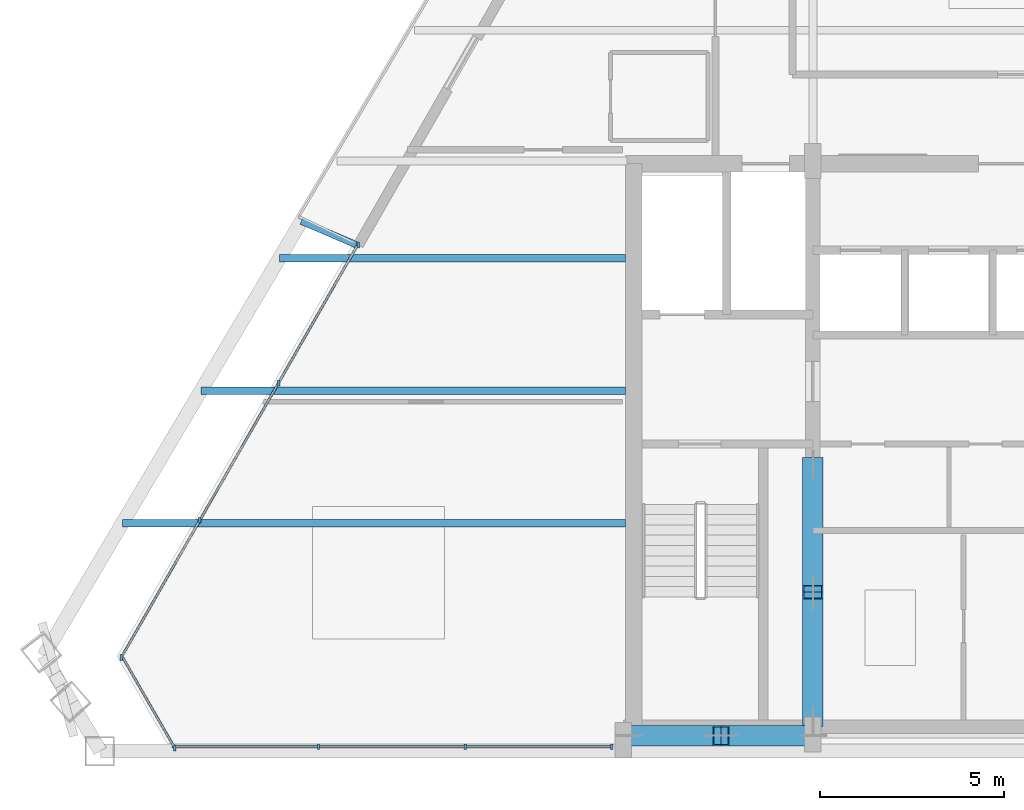
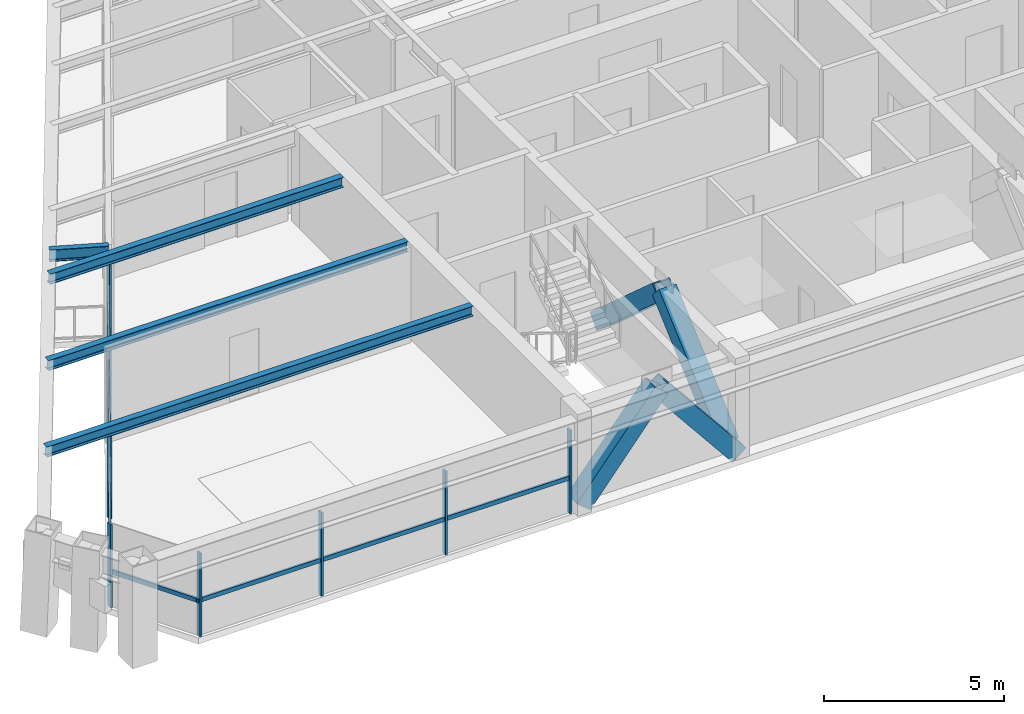
# One storey, part 2 of 13: 19 members, 4 beams, 3 elements without a shape of their own.
"""IFC4 building model written with IfcOpenShell, lengths in metres."""

from ifc_helpers import new_model, si_unit, direction, frame, origin, origin_2d, place, context, subcontext, project, spatial, rectangle, hollow_rectangle, i_section, extrude, source, transform, mapped, material, material_profile, profile_set, type_object, type_shapes, element, aggregate, save


model = new_model("IFC4")

# Units and contexts
model_context = context("Model", 3, precision=1e-05, world=origin(), true_north=direction((0.0, 1.0)))
body_context = subcontext(model_context, "Body", "Model", "MODEL_VIEW")
ifc_project = project(units=[si_unit("LENGTHUNIT", "METRE"), si_unit("AREAUNIT", "SQUARE_METRE"), si_unit("VOLUMEUNIT", "CUBIC_METRE"), si_unit("PLANEANGLEUNIT", "RADIAN"), si_unit("MASSUNIT", "GRAM", prefix="KILO")], contexts=[model_context])

# Site, building, storey
site_placement = place(None, origin())
site = spatial("IfcSite", under=ifc_project, at=site_placement, CompositionType="ELEMENT")
building_placement = place(site_placement, origin())
building = spatial("IfcBuilding", under=site, at=building_placement, Name="Varnakhor Terracotta Tower", CompositionType="ELEMENT")
storey_placement = place(building_placement, frame((0.0, 0.0, 297.14990234375)))
storey = spatial("IfcBuildingStorey", under=building, at=storey_placement, Name="L78", CompositionType="ELEMENT", Elevation=297.14990234375)

# Members
ifc_material_1 = material(Name="Steel S355", Category="steel")
ifc_material_profile_1 = material_profile(ifc_material_1, hollow_rectangle(XDim=0.550048828125, YDim=0.550048828125, WallThickness=0.034912109375, at=origin_2d()), Name="HSS550X550X35")
ifc_profile_set_1 = profile_set([ifc_material_profile_1], Name="Steel S355")
member_type_1 = type_object("IfcMemberType", Name="MBR-MEGA-550", PredefinedType="BRACE", material=ifc_profile_set_1)
shared_shape_1 = source(origin(), body_context, "Body", "SweptSolid", [
    extrude(hollow_rectangle(XDim=0.550048828125, YDim=0.550048828125, WallThickness=0.034912109375, at=origin_2d()), origin(), (0.0, 0.0, 1.0), 3.974853515625),
])
for number, where, z_axis, x_axis, name in (
    (1, (-10.5, 0.419921875, 0.0), (0.628970263838, 0.0, 0.777429358339), (0.0, 1.0, 0.0), "L78 Core Coupled Brace CSWA"),
    (2, (-5.5, 0.419921875, 0.0), (-0.628970263838, 0.0, 0.777429358339), (0.0, -1.0, 0.0), "L78 Core Coupled Brace CSWB"),
):
    element("IfcMember", number, at=place(storey_placement, frame(where, z_axis=z_axis, x_axis=x_axis)), inside=storey, type_object=member_type_1, Name=name, PredefinedType="BRACE", context=body_context, shape_type="MappedRepresentation", body=[
        mapped(shared_shape_1, transform((0.0, 0.0, 0.0), scale=1.0)),
    ])
shared_shape_2 = source(origin(), body_context, "Body", "SweptSolid", [
    extrude(hollow_rectangle(XDim=0.550048828125, YDim=0.550048828125, WallThickness=0.034912109375, at=origin_2d()), origin(), (0.0, 0.0, 1.0), 4.650146484375),
])
for number, where, z_axis, x_axis, name in (
    (3, (-5.5, 0.85009765625, 0.0), (0.0, 0.74726736397, 0.664523503532), (-1.0, 0.0, 0.0), "L78 Core Coupled Brace CWWA"),
    (4, (-5.5, 7.800048828125, 0.0), (0.0, -0.74729054724, 0.664497432655), (1.0, 0.0, 0.0), "L78 Core Coupled Brace CWWB"),
):
    element("IfcMember", number, at=place(storey_placement, frame(where, z_axis=z_axis, x_axis=x_axis)), inside=storey, type_object=member_type_1, Name=name, PredefinedType="BRACE", context=body_context, shape_type="MappedRepresentation", body=[
        mapped(shared_shape_2, transform((0.0, 0.0, 0.0), scale=1.0)),
    ])

# Beams
ifc_material_profile_2 = material_profile(ifc_material_1, i_section(OverallWidth=0.202880859375, OverallDepth=0.346923828125, WebThickness=0.0078125, FlangeThickness=0.013427734375, FilletRadius=0.01806640625, at=origin_2d()), Name="W14X43")
ifc_profile_set_2 = profile_set([ifc_material_profile_2], Name="Steel S355")
beam_type_1 = type_object("IfcBeamType", Name="JST-W14X43", PredefinedType="JOIST", material=ifc_profile_set_2)
shared_shape_3 = source(origin(), body_context, "Body", "SweptSolid", [
    extrude(i_section(OverallWidth=0.202880859375, OverallDepth=0.346923828125, WebThickness=0.0078125, FlangeThickness=0.013427734375, FilletRadius=0.01806640625, at=origin_2d()), origin(), (0.0, 0.0, 1.0), 13.674560546875),
])
beam_1_placement = place(storey_placement, frame((-24.274658203125, 6.199951171875, 3.066650390625), z_axis=(1.0, 0.0, 0.0), x_axis=(0.0, 1.0, 0.0)))
element("IfcBeam", 5, at=beam_1_placement, inside=storey, type_object=beam_type_1, Name="L78 Floor Joist W1", PredefinedType="JOIST", context=body_context, shape_type="MappedRepresentation", body=[
    mapped(shared_shape_3, transform((0.0, 0.0, 0.0), scale=1.0)),
])
shared_shape_4 = source(origin(), body_context, "Body", "SweptSolid", [
    extrude(i_section(OverallWidth=0.202880859375, OverallDepth=0.346923828125, WebThickness=0.0078125, FlangeThickness=0.013427734375, FilletRadius=0.01806640625, at=origin_2d()), origin(), (0.0, 0.0, 1.0), 11.54052734375),
])
beam_2_placement = place(storey_placement, frame((-22.140625, 9.800048828125, 3.066650390625), z_axis=(1.0, 0.0, 0.0), x_axis=(0.0, 1.0, 0.0)))
element("IfcBeam", 6, at=beam_2_placement, inside=storey, type_object=beam_type_1, Name="L78 Floor Joist W2", PredefinedType="JOIST", context=body_context, shape_type="MappedRepresentation", body=[
    mapped(shared_shape_4, transform((0.0, 0.0, 0.0), scale=1.0)),
])
shared_shape_5 = source(origin(), body_context, "Body", "SweptSolid", [
    extrude(i_section(OverallWidth=0.202880859375, OverallDepth=0.346923828125, WebThickness=0.0078125, FlangeThickness=0.013427734375, FilletRadius=0.01806640625, at=origin_2d()), origin(), (0.0, 0.0, 1.0), 9.406494140625),
])
beam_3_placement = place(storey_placement, frame((-20.006591796875, 13.39990234375, 3.066650390625), z_axis=(1.0, 0.0, 0.0), x_axis=(0.0, 1.0, 0.0)))
element("IfcBeam", 7, at=beam_3_placement, inside=storey, type_object=beam_type_1, Name="L78 Floor Joist W3", PredefinedType="JOIST", context=body_context, shape_type="MappedRepresentation", body=[
    mapped(shared_shape_5, transform((0.0, 0.0, 0.0), scale=1.0)),
])

# Curtain wall, members
ifc_material_2 = material(Name="Anodised Aluminium Curtain Wall System", Category="aluminium")
curtain_wall_type = type_object("IfcCurtainWallType", Name="CW-SYS-HOTEL-LOGGIA", PredefinedType="NOTDEFINED", material=ifc_material_2)
curtain_wall_1_placement = place(storey_placement, origin())
curtain_wall_1 = element("IfcCurtainWall", 8, at=curtain_wall_1_placement, inside=storey, type_object=curtain_wall_type, Name="L78 W Facet Curtain Wall 1", PredefinedType="NOTDEFINED")
ifc_material_3 = material(Name="Anodised Aluminium 6063-T6", Category="aluminium")
ifc_material_profile_3 = material_profile(ifc_material_3, rectangle(XDim=0.06494140625, YDim=0.159912109375, at=origin_2d()), Name="ALU MULLION 65x160")
ifc_profile_set_3 = profile_set([ifc_material_profile_3], Name="Anodised Aluminium 6063-T6")
member_type_2 = type_object("IfcMemberType", Name="CWM-04", PredefinedType="MULLION", material=ifc_profile_set_3)
shared_shape_6 = source(origin(), body_context, "Body", "SweptSolid", [
    extrude(rectangle(XDim=0.06494140625, YDim=0.159912109375, at=origin_2d()), origin(), (0.0, 0.0, 1.0), 2.820068359375),
])
type_shapes(member_type_2, [shared_shape_6])
member_1_placement = place(storey_placement, frame((-24.304443359375, 2.546630859375, 0.0), z_axis=(0.0, 0.0, 1.0), x_axis=(1.0, 0.0, 0.0)))
member_1 = element("IfcMember", 9, at=member_1_placement, type_object=member_type_2, Name="L78 W Facet Curtain Wall 1 Mullion 1", PredefinedType="MULLION", context=body_context, shape_type="MappedRepresentation", body=[
    mapped(shared_shape_6, transform((0.0, 0.0, 0.0), scale=1.0)),
])
member_2_placement = place(storey_placement, frame((-22.166015625, 6.279052734375, 0.0), z_axis=(0.0, 0.0, 1.0), x_axis=(1.0, 0.0, 0.0)))
member_2 = element("IfcMember", 10, at=member_2_placement, type_object=member_type_2, Name="L78 W Facet Curtain Wall 1 Mullion 2", PredefinedType="MULLION", context=body_context, shape_type="MappedRepresentation", body=[
    mapped(shared_shape_6, transform((0.0, 0.0, 0.0), scale=1.0)),
])
member_3_placement = place(storey_placement, frame((-20.027587890625, 10.011474609375, 0.0), z_axis=(0.0, 0.0, 1.0), x_axis=(1.0, 0.0, 0.0)))
member_3 = element("IfcMember", 11, at=member_3_placement, type_object=member_type_2, Name="L78 W Facet Curtain Wall 1 Mullion 3", PredefinedType="MULLION", context=body_context, shape_type="MappedRepresentation", body=[
    mapped(shared_shape_6, transform((0.0, 0.0, 0.0), scale=1.0)),
])
member_4_placement = place(storey_placement, frame((-17.857177734375, 13.759765625, 0.0), z_axis=(0.0, 0.0, 1.0), x_axis=(1.0, 0.0, 0.0)))
member_4 = element("IfcMember", 12, at=member_4_placement, type_object=member_type_2, Name="L78 W Loggia Jamb Closure Mullion 1", PredefinedType="MULLION", context=body_context, shape_type="MappedRepresentation", body=[
    mapped(shared_shape_6, transform((0.0, 0.0, 0.0), scale=1.0)),
])

curtain_wall_2_placement = place(storey_placement, origin())
curtain_wall_2 = element("IfcCurtainWall", 13, at=curtain_wall_2_placement, inside=storey, type_object=curtain_wall_type, Name="L78 South Wing Curtain Wall SSW", PredefinedType="NOTDEFINED")
member_5_placement = place(storey_placement, frame((-10.969970703125, 0.1201171875, 0.0), z_axis=(0.0, 0.0, 1.0), x_axis=(1.0, 0.0, 0.0)))
member_5 = element("IfcMember", 14, at=member_5_placement, type_object=member_type_2, Name="L78 South Wing Curtain Wall SSW Mullion 1", PredefinedType="MULLION", context=body_context, shape_type="MappedRepresentation", body=[
    mapped(shared_shape_6, transform((0.0, 0.0, 0.0), scale=1.0)),
])
member_6_placement = place(storey_placement, frame((-14.956298828125, 0.1201171875, 0.0), z_axis=(0.0, 0.0, 1.0), x_axis=(1.0, 0.0, 0.0)))
member_6 = element("IfcMember", 15, at=member_6_placement, type_object=member_type_2, Name="L78 South Wing Curtain Wall SSW Mullion 2", PredefinedType="MULLION", context=body_context, shape_type="MappedRepresentation", body=[
    mapped(shared_shape_6, transform((0.0, 0.0, 0.0), scale=1.0)),
])
member_7_placement = place(storey_placement, frame((-18.94287109375, 0.1201171875, 0.0), z_axis=(0.0, 0.0, 1.0), x_axis=(1.0, 0.0, 0.0)))
member_7 = element("IfcMember", 16, at=member_7_placement, type_object=member_type_2, Name="L78 South Wing Curtain Wall SSW Mullion 3", PredefinedType="MULLION", context=body_context, shape_type="MappedRepresentation", body=[
    mapped(shared_shape_6, transform((0.0, 0.0, 0.0), scale=1.0)),
])

# Curtain wall, member
curtain_wall_3_placement = place(storey_placement, origin())
curtain_wall_3 = element("IfcCurtainWall", 17, at=curtain_wall_3_placement, inside=storey, type_object=curtain_wall_type, Name="L78 Facet Curtain Wall 6", PredefinedType="NOTDEFINED")
member_8_placement = place(storey_placement, frame((-22.85009765625, 0.085693359375, 0.0), z_axis=(0.0, 0.0, 1.0), x_axis=(1.0, 0.0, 0.0)))
member_8 = element("IfcMember", 18, at=member_8_placement, type_object=member_type_2, Name="L78 Facet Curtain Wall 6 Mullion 1", PredefinedType="MULLION", context=body_context, shape_type="MappedRepresentation", body=[
    mapped(shared_shape_6, transform((0.0, 0.0, 0.0), scale=1.0)),
])

# Member
ifc_material_profile_4 = material_profile(ifc_material_3, rectangle(XDim=0.06494140625, YDim=0.14501953125, at=origin_2d()), Name="ALU TRANSOM 65x145")
ifc_profile_set_4 = profile_set([ifc_material_profile_4], Name="Anodised Aluminium 6063-T6")
member_type_3 = type_object("IfcMemberType", Name="CWT-04", PredefinedType="USERDEFINED", material=ifc_profile_set_4)
shared_shape_7 = source(origin(), body_context, "Body", "SweptSolid", [
    extrude(rectangle(XDim=0.06494140625, YDim=0.14501953125, at=origin_2d()), origin(), (0.0, 0.0, 1.0), 4.301513671875),
])
member_9_placement = place(storey_placement, frame((-24.304443359375, 2.546630859375, 1.1845703125), z_axis=(0.497122675225, 0.867680267021, 0.0), x_axis=(-0.867680267021, 0.497122675225, 0.0)))
member_9 = element("IfcMember", 19, at=member_9_placement, type_object=member_type_3, Name="L78 W Facet Curtain Wall 1 Transom 1", ObjectType="TRANSOM", PredefinedType="USERDEFINED", context=body_context, shape_type="MappedRepresentation", body=[
    mapped(shared_shape_7, transform((0.0, 0.0, 0.0), scale=1.0)),
])

member_10_placement = place(storey_placement, frame((-22.166015625, 6.279052734375, 1.1845703125), z_axis=(0.497122675225, 0.867680267021, 0.0), x_axis=(-0.867680267021, 0.497122675225, 0.0)))
member_10 = element("IfcMember", 20, at=member_10_placement, type_object=member_type_3, Name="L78 W Facet Curtain Wall 1 Transom 2", ObjectType="TRANSOM", PredefinedType="USERDEFINED", context=body_context, shape_type="MappedRepresentation", body=[
    mapped(shared_shape_7, transform((0.0, 0.0, 0.0), scale=1.0)),
])

shared_shape_8 = source(origin(), body_context, "Body", "SweptSolid", [
    extrude(rectangle(XDim=0.06494140625, YDim=0.14501953125, at=origin_2d()), origin(), (0.0, 0.0, 1.0), 4.30126953125),
])
member_11_placement = place(storey_placement, frame((-20.027587890625, 10.011474609375, 1.1845703125), z_axis=(0.497104425314, 0.867690722742, 0.0), x_axis=(-0.867690722742, 0.497104425314, 0.0)))
member_11 = element("IfcMember", 21, at=member_11_placement, type_object=member_type_3, Name="L78 W Facet Curtain Wall 1 Transom 3", ObjectType="TRANSOM", PredefinedType="USERDEFINED", context=body_context, shape_type="MappedRepresentation", body=[
    mapped(shared_shape_8, transform((0.0, 0.0, 0.0), scale=1.0)),
])

aggregate(curtain_wall_1, [member_1, member_9, member_2, member_10, member_3, member_11, member_4])

shared_shape_9 = source(origin(), body_context, "Body", "SweptSolid", [
    extrude(rectangle(XDim=0.06494140625, YDim=0.14501953125, at=origin_2d()), origin(), (0.0, 0.0, 1.0), 3.986328125),
])
member_12_placement = place(storey_placement, frame((-10.969970703125, 0.1201171875, 1.1845703125), z_axis=(-1.0, 0.0, 0.0), x_axis=(0.0, -1.0, 0.0)))
member_12 = element("IfcMember", 22, at=member_12_placement, type_object=member_type_3, Name="L78 South Wing Curtain Wall SSW Transom 1", ObjectType="TRANSOM", PredefinedType="USERDEFINED", context=body_context, shape_type="MappedRepresentation", body=[
    mapped(shared_shape_9, transform((0.0, 0.0, 0.0), scale=1.0)),
])

member_13_placement = place(storey_placement, frame((-18.94287109375, 0.1201171875, 1.1845703125), z_axis=(-1.0, 0.0, 0.0), x_axis=(0.0, -1.0, 0.0)))
member_13 = element("IfcMember", 23, at=member_13_placement, type_object=member_type_3, Name="L78 South Wing Curtain Wall SSW Transom 3", ObjectType="TRANSOM", PredefinedType="USERDEFINED", context=body_context, shape_type="MappedRepresentation", body=[
    mapped(shared_shape_9, transform((0.0, 0.0, 0.0), scale=1.0)),
])

shared_shape_10 = source(origin(), body_context, "Body", "SweptSolid", [
    extrude(rectangle(XDim=0.06494140625, YDim=0.14501953125, at=origin_2d()), origin(), (0.0, 0.0, 1.0), 3.986572265625),
])
member_14_placement = place(storey_placement, frame((-14.956298828125, 0.1201171875, 1.1845703125), z_axis=(-1.0, 0.0, 0.0), x_axis=(0.0, -1.0, 0.0)))
member_14 = element("IfcMember", 24, at=member_14_placement, type_object=member_type_3, Name="L78 South Wing Curtain Wall SSW Transom 2", ObjectType="TRANSOM", PredefinedType="USERDEFINED", context=body_context, shape_type="MappedRepresentation", body=[
    mapped(shared_shape_10, transform((0.0, 0.0, 0.0), scale=1.0)),
])

aggregate(curtain_wall_2, [member_5, member_12, member_6, member_14, member_7, member_13])

shared_shape_11 = source(origin(), body_context, "Body", "SweptSolid", [
    extrude(rectangle(XDim=0.06494140625, YDim=0.14501953125, at=origin_2d()), origin(), (0.0, 0.0, 1.0), 2.916748046875),
])
member_15_placement = place(storey_placement, frame((-22.85009765625, 0.085693359375, 1.1845703125), z_axis=(-0.498615798013, 0.866823099584, 0.0), x_axis=(-0.866823099584, -0.498615798013, 0.0)))
member_15 = element("IfcMember", 25, at=member_15_placement, type_object=member_type_3, Name="L78 Facet Curtain Wall 6 Transom 1", ObjectType="TRANSOM", PredefinedType="USERDEFINED", context=body_context, shape_type="MappedRepresentation", body=[
    mapped(shared_shape_11, transform((0.0, 0.0, 0.0), scale=1.0)),
])

aggregate(curtain_wall_3, [member_8, member_15])

# Beam
ifc_material_profile_5 = material_profile(ifc_material_1, i_section(OverallWidth=0.179931640625, OverallDepth=0.39990234375, WebThickness=0.008544921875, FlangeThickness=0.013427734375, FilletRadius=0.01806640625, at=origin_2d()), Name="IPE400")
ifc_profile_set_5 = profile_set([ifc_material_profile_5], Name="Steel S355")
beam_type_2 = type_object("IfcBeamType", Name="JST-IPE400", PredefinedType="JOIST", material=ifc_profile_set_5)
shared_shape_12 = source(origin(), body_context, "Body", "SweptSolid", [
    extrude(i_section(OverallWidth=0.179931640625, OverallDepth=0.39990234375, WebThickness=0.008544921875, FlangeThickness=0.013427734375, FilletRadius=0.01806640625, at=origin_2d()), origin(), (0.0, 0.0, 1.0), 1.662841796875),
])
beam_4_placement = place(storey_placement, frame((-17.880859375, 13.751953125, 3.0400390625), z_axis=(-0.918643078182, 0.395088464662, 0.0), x_axis=(-0.395088464662, -0.918643078182, 0.0)))
element("IfcBeam", 26, at=beam_4_placement, inside=storey, type_object=beam_type_2, Name="L79 W Loggia Tie Beam 1", PredefinedType="JOIST", context=body_context, shape_type="MappedRepresentation", body=[
    mapped(shared_shape_12, transform((0.0, 0.0, 0.0), scale=1.0)),
])

save(model, "model.ifc")
